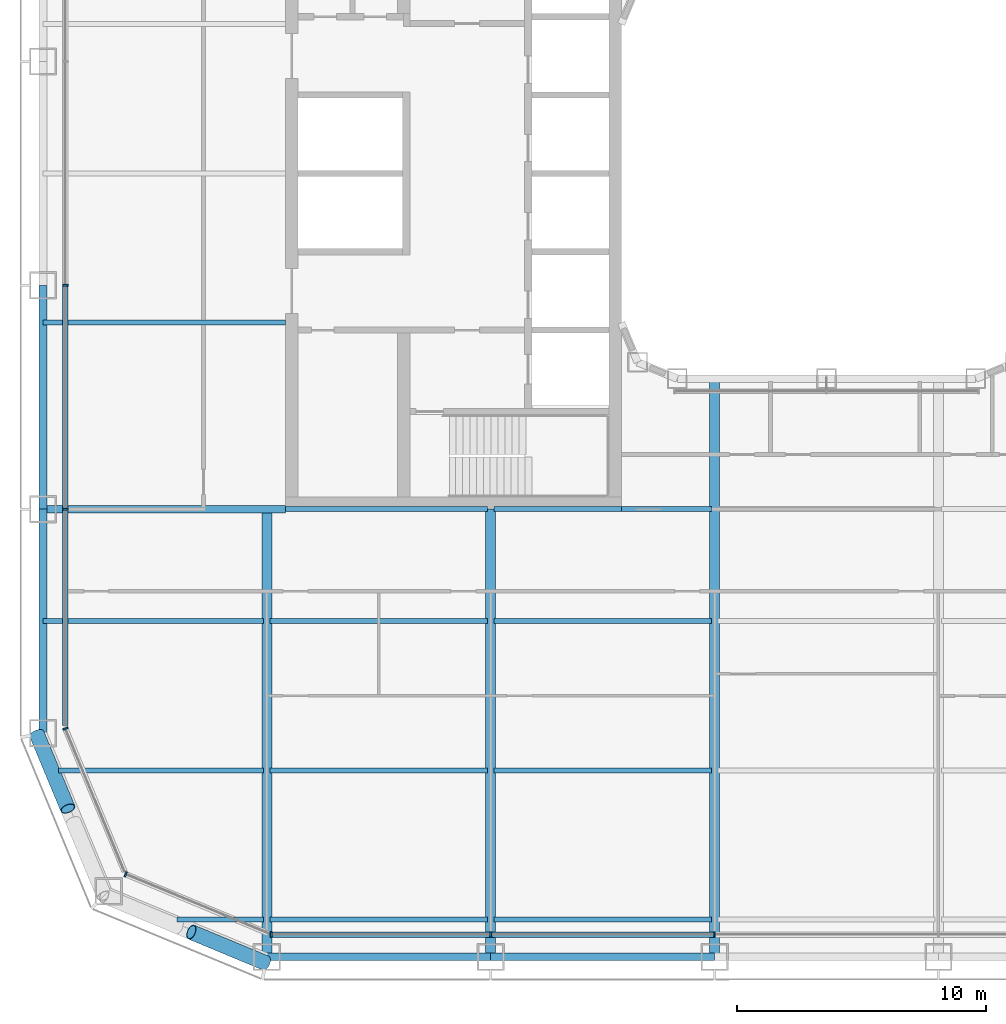
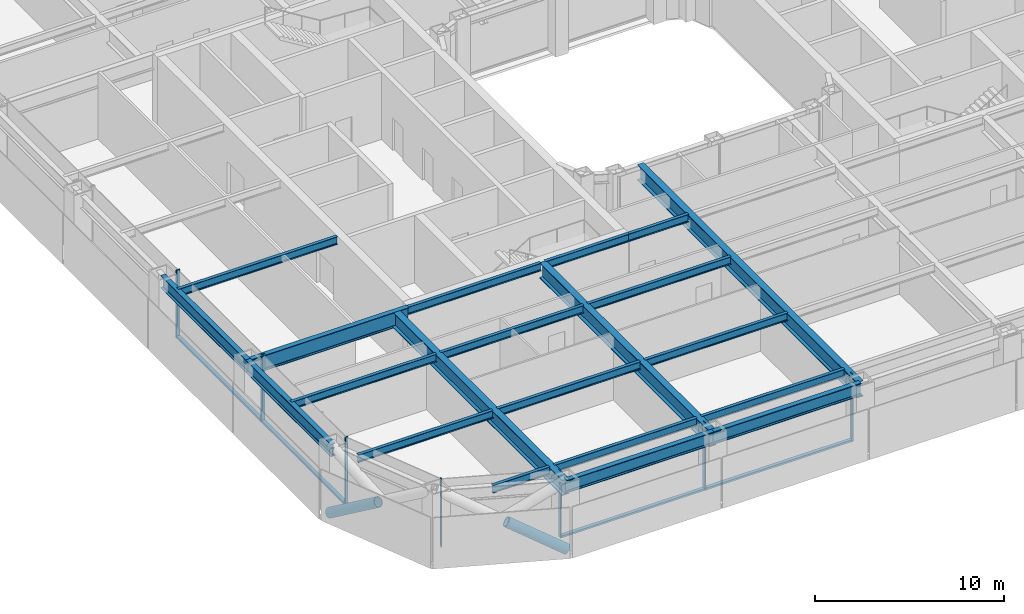
# One storey, part 2 of 24: 21 beams, 13 members, 4 elements without a shape of their own.
"""IFC4 building model written with IfcOpenShell, lengths in metres."""

from ifc_helpers import new_model, si_unit, direction, frame, origin, origin_2d, place, context, subcontext, project, spatial, rectangle, hollow_circle, i_section, extrude, material, layer, layer_set, material_profile, profile_set, type_object, element, aggregate, save


model = new_model("IFC4")

# Units and contexts
model_context = context("Model", 3, precision=1e-05, world=origin(), true_north=direction((0.0, 1.0)))
body_context = subcontext(model_context, "Body", "Model", "MODEL_VIEW")
ifc_project = project(units=[si_unit("LENGTHUNIT", "METRE"), si_unit("AREAUNIT", "SQUARE_METRE"), si_unit("VOLUMEUNIT", "CUBIC_METRE"), si_unit("PLANEANGLEUNIT", "RADIAN"), si_unit("MASSUNIT", "GRAM", prefix="KILO")], contexts=[model_context])

# Site, building, storey
site_placement = place(None, origin())
site = spatial("IfcSite", under=ifc_project, at=site_placement, CompositionType="ELEMENT")
building_placement = place(site_placement, origin())
building = spatial("IfcBuilding", under=site, at=building_placement, Name="Siwar Civic Tower", CompositionType="ELEMENT")
storey_placement = place(building_placement, frame((0.0, 0.0, 40.199951171875)))
storey = spatial("IfcBuildingStorey", under=building, at=storey_placement, Name="L08", CompositionType="ELEMENT", Elevation=40.199951171875)

# Curtain wall, members
ifc_material_1 = material(Name="Aluminium and glass", Category="aluminium")
ifc_layer_1 = layer(ifc_material_1, 0.219970703125)
ifc_layer_set_1 = layer_set([ifc_layer_1], Name="Aluminium and glass")
curtain_wall_type_1 = type_object("IfcCurtainWallType", Name="ENV-CW-A", PredefinedType="NOTDEFINED", material=ifc_layer_set_1)
curtain_wall_1_placement = place(storey_placement, origin())
curtain_wall_1 = element("IfcCurtainWall", 1, at=curtain_wall_1_placement, inside=storey, type_object=curtain_wall_type_1, Name="Curtain wall A S", PredefinedType="NOTDEFINED")
ifc_material_2 = material(Name="Aluminium 6063-T6", Category="aluminium")
ifc_material_profile_1 = material_profile(ifc_material_2, rectangle(XDim=0.219970703125, YDim=0.070068359375, at=origin_2d()), Name="AL 220x70")
ifc_profile_set_1 = profile_set([ifc_material_profile_1], Name="Aluminium 6063-T6")
member_type_1 = type_object("IfcMemberType", Name="ENV-MULLION-A", PredefinedType="MULLION", material=ifc_profile_set_1)
member_1_placement = place(storey_placement, frame((-22.321044921875, -30.60009765625, 0.0), z_axis=(0.0, 0.0, 1.0), x_axis=(0.0, 1.0, 0.0)))
member_1 = element("IfcMember", 2, at=member_1_placement, type_object=member_type_1, Name="Mullion A S 1", PredefinedType="MULLION", context=body_context, shape_type="SweptSolid", body=[
    extrude(rectangle(XDim=0.219970703125, YDim=0.070068359375, at=origin_2d()), origin(), (0.0, 0.0, 1.0), 4.35009765625),
])
member_2_placement = place(storey_placement, frame((-13.5, -30.60009765625, 0.0), z_axis=(0.0, 0.0, 1.0), x_axis=(0.0, 1.0, 0.0)))
member_2 = element("IfcMember", 3, at=member_2_placement, type_object=member_type_1, Name="Mullion A S 2", PredefinedType="MULLION", context=body_context, shape_type="SweptSolid", body=[
    extrude(rectangle(XDim=0.219970703125, YDim=0.070068359375, at=origin_2d()), origin(), (0.0, 0.0, 1.0), 4.35009765625),
])
member_3_placement = place(storey_placement, frame((-4.5, -30.60009765625, 0.0), z_axis=(0.0, 0.0, 1.0), x_axis=(0.0, 1.0, 0.0)))
member_3 = element("IfcMember", 4, at=member_3_placement, type_object=member_type_1, Name="Mullion A S 3", PredefinedType="MULLION", context=body_context, shape_type="SweptSolid", body=[
    extrude(rectangle(XDim=0.219970703125, YDim=0.070068359375, at=origin_2d()), origin(), (0.0, 0.0, 1.0), 4.35009765625),
])

curtain_wall_2_placement = place(storey_placement, origin())
curtain_wall_2 = element("IfcCurtainWall", 5, at=curtain_wall_2_placement, inside=storey, type_object=curtain_wall_type_1, Name="Curtain wall A W", PredefinedType="NOTDEFINED")
member_4_placement = place(storey_placement, frame((-30.60009765625, -4.5, 0.0), z_axis=(0.0, 0.0, 1.0), x_axis=(1.0, 0.0, 0.0)))
member_4 = element("IfcMember", 6, at=member_4_placement, type_object=member_type_1, Name="Mullion A W 4", PredefinedType="MULLION", context=body_context, shape_type="SweptSolid", body=[
    extrude(rectangle(XDim=0.219970703125, YDim=0.070068359375, at=origin_2d()), origin(), (0.0, 0.0, 1.0), 4.35009765625),
])
member_5_placement = place(storey_placement, frame((-30.60009765625, -13.5, 0.0), z_axis=(0.0, 0.0, 1.0), x_axis=(1.0, 0.0, 0.0)))
member_5 = element("IfcMember", 7, at=member_5_placement, type_object=member_type_1, Name="Mullion A W 5", PredefinedType="MULLION", context=body_context, shape_type="SweptSolid", body=[
    extrude(rectangle(XDim=0.219970703125, YDim=0.070068359375, at=origin_2d()), origin(), (0.0, 0.0, 1.0), 4.35009765625),
])

# Curtain wall, member
ifc_material_3 = material(Name="Aluminium clad insulated panel", Category="aluminium")
ifc_layer_2 = layer(ifc_material_3, 0.219970703125)
ifc_layer_set_2 = layer_set([ifc_layer_2], Name="Aluminium clad insulated panel")
curtain_wall_type_2 = type_object("IfcCurtainWallType", Name="ENV-CW-AX", PredefinedType="NOTDEFINED", material=ifc_layer_set_2)
curtain_wall_3_placement = place(storey_placement, origin())
curtain_wall_3 = element("IfcCurtainWall", 8, at=curtain_wall_3_placement, inside=storey, type_object=curtain_wall_type_2, Name="Curtain wall A SW1", PredefinedType="NOTDEFINED")
member_6_placement = place(storey_placement, frame((-30.60009765625, -22.321044921875, 0.0), z_axis=(0.0, 0.0, 1.0), x_axis=(0.923879532511, 0.382683432365, 0.0)))
member_6 = element("IfcMember", 9, at=member_6_placement, type_object=member_type_1, Name="Mullion A SW1 1", PredefinedType="MULLION", context=body_context, shape_type="SweptSolid", body=[
    extrude(rectangle(XDim=0.219970703125, YDim=0.070068359375, at=origin_2d()), origin(), (0.0, 0.0, 1.0), 4.35009765625),
])
aggregate(curtain_wall_3, [member_6])

curtain_wall_4_placement = place(storey_placement, origin())
curtain_wall_4 = element("IfcCurtainWall", 10, at=curtain_wall_4_placement, inside=storey, type_object=curtain_wall_type_2, Name="Curtain wall A SW2", PredefinedType="NOTDEFINED")
member_7_placement = place(storey_placement, frame((-28.175048828125, -28.175048828125, 0.0), z_axis=(0.0, 0.0, 1.0), x_axis=(0.382683432365, 0.923879532511, 0.0)))
member_7 = element("IfcMember", 11, at=member_7_placement, type_object=member_type_1, Name="Mullion A SW2 1", PredefinedType="MULLION", context=body_context, shape_type="SweptSolid", body=[
    extrude(rectangle(XDim=0.219970703125, YDim=0.070068359375, at=origin_2d()), origin(), (0.0, 0.0, 1.0), 4.35009765625),
])
aggregate(curtain_wall_4, [member_7])

# Member
ifc_material_4 = material(Name="Aluminium 6063-T6", Category="aluminium")
ifc_material_profile_2 = material_profile(ifc_material_4, rectangle(XDim=0.219970703125, YDim=0.1201171875, at=origin_2d()), Name="AL 220x120")
ifc_profile_set_2 = profile_set([ifc_material_profile_2], Name="Aluminium 6063-T6")
member_type_2 = type_object("IfcMemberType", Name="ENV-TRANSOM-A", PredefinedType="USERDEFINED", material=ifc_profile_set_2)
member_8_placement = place(storey_placement, frame((-22.285888671875, -30.60009765625, 0.06005859375), z_axis=(1.0, 0.0, 0.0), x_axis=(0.0, 1.0, 0.0)))
member_8 = element("IfcMember", 12, at=member_8_placement, type_object=member_type_2, Name="Transom A S 1", ObjectType="TRANSOM", PredefinedType="USERDEFINED", context=body_context, shape_type="SweptSolid", body=[
    extrude(rectangle(XDim=0.219970703125, YDim=0.1201171875, at=origin_2d()), origin(), (0.0, 0.0, 1.0), 8.7509765625),
])

member_9_placement = place(storey_placement, frame((-13.465087890625, -30.60009765625, 0.06005859375), z_axis=(1.0, 0.0, 0.0), x_axis=(0.0, 1.0, 0.0)))
member_9 = element("IfcMember", 13, at=member_9_placement, type_object=member_type_2, Name="Transom A S 2", ObjectType="TRANSOM", PredefinedType="USERDEFINED", context=body_context, shape_type="SweptSolid", body=[
    extrude(rectangle(XDim=0.219970703125, YDim=0.1201171875, at=origin_2d()), origin(), (0.0, 0.0, 1.0), 8.93017578125),
])

aggregate(curtain_wall_1, [member_1, member_2, member_3, member_8, member_9])

member_10_placement = place(storey_placement, frame((-30.60009765625, -4.534912109375, 0.06005859375), z_axis=(0.0, -1.0, 0.0), x_axis=(1.0, 0.0, 0.0)))
member_10 = element("IfcMember", 14, at=member_10_placement, type_object=member_type_2, Name="Transom A W 4", ObjectType="TRANSOM", PredefinedType="USERDEFINED", context=body_context, shape_type="SweptSolid", body=[
    extrude(rectangle(XDim=0.219970703125, YDim=0.1201171875, at=origin_2d()), origin(), (0.0, 0.0, 1.0), 8.93017578125),
])

member_11_placement = place(storey_placement, frame((-30.60009765625, -13.534912109375, 0.06005859375), z_axis=(0.0, -1.0, 0.0), x_axis=(1.0, 0.0, 0.0)))
member_11 = element("IfcMember", 15, at=member_11_placement, type_object=member_type_2, Name="Transom A W 5", ObjectType="TRANSOM", PredefinedType="USERDEFINED", context=body_context, shape_type="SweptSolid", body=[
    extrude(rectangle(XDim=0.219970703125, YDim=0.1201171875, at=origin_2d()), origin(), (0.0, 0.0, 1.0), 8.66357421875),
])

aggregate(curtain_wall_2, [member_4, member_5, member_10, member_11])

# Members
ifc_material_5 = material(Name="Steel S355", Category="steel")
ifc_material_profile_3 = material_profile(ifc_material_5, hollow_circle(Radius=0.304931640625, WallThickness=0.030029296875, at=origin_2d()), Name="CHS610x30")
ifc_profile_set_3 = profile_set([ifc_material_profile_3], Name="Steel S355")
member_type_3 = type_object("IfcMemberType", Name="STR-BR-CHS610x30", PredefinedType="BRACE", material=ifc_profile_set_3)
for number, where, z_axis, x_axis, name in (
    (16, (-22.548828125, -31.7451171875, 0.0), (-0.777533059308, 0.323882123145, 0.539020140617), (-0.384524353215, -0.923114847559, 0.0), "L08/brc/ASW1-7-0-2"),
    (17, (-31.7451171875, -22.548828125, 0.0), (0.323882123145, -0.777533059308, 0.539020140617), (0.923114847559, 0.384524353215, 0.0), "L08/brc/ASW1-7-0-4"),
):
    element("IfcMember", number, at=place(storey_placement, frame(where, z_axis=z_axis, x_axis=x_axis)), inside=storey, type_object=member_type_3, Name=name, PredefinedType="BRACE", context=body_context, shape_type="SweptSolid", body=[
        extrude(hollow_circle(Radius=0.304931640625, WallThickness=0.030029296875, at=origin_2d()), origin(), (0.0, 0.0, 1.0), 3.843505859375),
    ])

# Beams
ifc_material_6 = material(Name="Steel S355", Category="steel")
ifc_material_profile_4 = material_profile(ifc_material_6, i_section(OverallWidth=0.199951171875, OverallDepth=0.5, WebThickness=0.01025390625, FlangeThickness=0.01611328125, FilletRadius=0.02099609375, at=origin_2d()), Name="IPE500")
ifc_profile_set_4 = profile_set([ifc_material_profile_4], Name="Steel S355")
beam_type_1 = type_object("IfcBeamType", Name="STR-FB-IPE500", PredefinedType="JOIST", material=ifc_profile_set_4)
beam_1_placement = place(storey_placement, frame((-26.121337890625, -30.0, 4.10009765625), z_axis=(1.0, 0.0, 0.0), x_axis=(0.0, 1.0, 0.0)))
element("IfcBeam", 18, at=beam_1_placement, inside=storey, type_object=beam_type_1, Name="L08/bm/F001", PredefinedType="JOIST", context=body_context, shape_type="SweptSolid", body=[
    extrude(i_section(OverallWidth=0.199951171875, OverallDepth=0.5, WebThickness=0.01025390625, FlangeThickness=0.01611328125, FilletRadius=0.02099609375, at=origin_2d()), origin(), (0.0, 0.0, 1.0), 3.491455078125),
])
for number, where, z_axis, x_axis, name in (
    (19, (-22.3701171875, -30.0, 4.10009765625), (1.0, 0.0, 0.0), (0.0, 1.0, 0.0), "L08/bm/F002"),
    (20, (-13.3701171875, -30.0, 4.10009765625), (1.0, 0.0, 0.0), (0.0, 1.0, 0.0), "L08/bm/F003"),
):
    element("IfcBeam", number, at=place(storey_placement, frame(where, z_axis=z_axis, x_axis=x_axis)), inside=storey, type_object=beam_type_1, Name=name, PredefinedType="JOIST", context=body_context, shape_type="SweptSolid", body=[
        extrude(i_section(OverallWidth=0.199951171875, OverallDepth=0.5, WebThickness=0.01025390625, FlangeThickness=0.01611328125, FilletRadius=0.02099609375, at=origin_2d()), origin(), (0.0, 0.0, 1.0), 8.740234375),
    ])
beam_2_placement = place(storey_placement, frame((-30.878662109375, -24.0, 4.10009765625), z_axis=(1.0, 0.0, 0.0), x_axis=(0.0, 1.0, 0.0)))
element("IfcBeam", 21, at=beam_2_placement, inside=storey, type_object=beam_type_1, Name="L08/bm/F008", PredefinedType="JOIST", context=body_context, shape_type="SweptSolid", body=[
    extrude(i_section(OverallWidth=0.199951171875, OverallDepth=0.5, WebThickness=0.01025390625, FlangeThickness=0.01611328125, FilletRadius=0.02099609375, at=origin_2d()), origin(), (0.0, 0.0, 1.0), 8.248779296875),
])
for number, where, z_axis, x_axis, name in (
    (22, (-22.3701171875, -24.0, 4.10009765625), (1.0, 0.0, 0.0), (0.0, 1.0, 0.0), "L08/bm/F009"),
    (23, (-13.3701171875, -24.0, 4.10009765625), (1.0, 0.0, 0.0), (0.0, 1.0, 0.0), "L08/bm/F010"),
):
    element("IfcBeam", number, at=place(storey_placement, frame(where, z_axis=z_axis, x_axis=x_axis)), inside=storey, type_object=beam_type_1, Name=name, PredefinedType="JOIST", context=body_context, shape_type="SweptSolid", body=[
        extrude(i_section(OverallWidth=0.199951171875, OverallDepth=0.5, WebThickness=0.01025390625, FlangeThickness=0.01611328125, FilletRadius=0.02099609375, at=origin_2d()), origin(), (0.0, 0.0, 1.0), 8.740234375),
    ])
beam_3_placement = place(storey_placement, frame((-31.5, -18.0, 4.10009765625), z_axis=(1.0, 0.0, 0.0), x_axis=(0.0, 1.0, 0.0)))
element("IfcBeam", 24, at=beam_3_placement, inside=storey, type_object=beam_type_1, Name="L08/bm/F015", PredefinedType="JOIST", context=body_context, shape_type="SweptSolid", body=[
    extrude(i_section(OverallWidth=0.199951171875, OverallDepth=0.5, WebThickness=0.01025390625, FlangeThickness=0.01611328125, FilletRadius=0.02099609375, at=origin_2d()), origin(), (0.0, 0.0, 1.0), 8.8701171875),
])
for number, where, z_axis, x_axis, name in (
    (25, (-22.3701171875, -18.0, 4.10009765625), (1.0, 0.0, 0.0), (0.0, 1.0, 0.0), "L08/bm/F016"),
    (26, (-13.3701171875, -18.0, 4.10009765625), (1.0, 0.0, 0.0), (0.0, 1.0, 0.0), "L08/bm/F017"),
):
    element("IfcBeam", number, at=place(storey_placement, frame(where, z_axis=z_axis, x_axis=x_axis)), inside=storey, type_object=beam_type_1, Name=name, PredefinedType="JOIST", context=body_context, shape_type="SweptSolid", body=[
        extrude(i_section(OverallWidth=0.199951171875, OverallDepth=0.5, WebThickness=0.01025390625, FlangeThickness=0.01611328125, FilletRadius=0.02099609375, at=origin_2d()), origin(), (0.0, 0.0, 1.0), 8.740234375),
    ])
beam_4_placement = place(storey_placement, frame((-21.75, -13.5, 4.10009765625), z_axis=(1.0, 0.0, 0.0), x_axis=(0.0, 1.0, 0.0)))
element("IfcBeam", 27, at=beam_4_placement, inside=storey, type_object=beam_type_1, Name="L08/bm/F023", PredefinedType="JOIST", context=body_context, shape_type="SweptSolid", body=[
    extrude(i_section(OverallWidth=0.199951171875, OverallDepth=0.5, WebThickness=0.01025390625, FlangeThickness=0.01611328125, FilletRadius=0.02099609375, at=origin_2d()), origin(), (0.0, 0.0, 1.0), 8.1201171875),
])
beam_5_placement = place(storey_placement, frame((-13.3701171875, -13.5, 4.10009765625), z_axis=(1.0, 0.0, 0.0), x_axis=(0.0, 1.0, 0.0)))
element("IfcBeam", 28, at=beam_5_placement, inside=storey, type_object=beam_type_1, Name="L08/bm/F024", PredefinedType="JOIST", context=body_context, shape_type="SweptSolid", body=[
    extrude(i_section(OverallWidth=0.199951171875, OverallDepth=0.5, WebThickness=0.01025390625, FlangeThickness=0.01611328125, FilletRadius=0.02099609375, at=origin_2d()), origin(), (0.0, 0.0, 1.0), 5.1201171875),
])
beam_6_placement = place(storey_placement, frame((-8.25, -13.5, 4.10009765625), z_axis=(1.0, 0.0, 0.0), x_axis=(0.0, 1.0, 0.0)))
element("IfcBeam", 29, at=beam_6_placement, inside=storey, type_object=beam_type_1, Name="L08/bm/F025", PredefinedType="JOIST", context=body_context, shape_type="SweptSolid", body=[
    extrude(i_section(OverallWidth=0.199951171875, OverallDepth=0.5, WebThickness=0.01025390625, FlangeThickness=0.01611328125, FilletRadius=0.02099609375, at=origin_2d()), origin(), (0.0, 0.0, 1.0), 3.6201171875),
])
beam_7_placement = place(storey_placement, frame((-31.5, -6.0, 4.10009765625), z_axis=(1.0, 0.0, 0.0), x_axis=(0.0, 1.0, 0.0)))
element("IfcBeam", 30, at=beam_7_placement, inside=storey, type_object=beam_type_1, Name="L08/bm/F031", PredefinedType="JOIST", context=body_context, shape_type="SweptSolid", body=[
    extrude(i_section(OverallWidth=0.199951171875, OverallDepth=0.5, WebThickness=0.01025390625, FlangeThickness=0.01611328125, FilletRadius=0.02099609375, at=origin_2d()), origin(), (0.0, 0.0, 1.0), 9.75),
])
ifc_material_7 = material(Name="Steel S355", Category="steel")
ifc_material_profile_5 = material_profile(ifc_material_7, i_section(OverallWidth=0.300048828125, OverallDepth=1.0, WebThickness=0.01904296875, FlangeThickness=0.035888671875, FilletRadius=0.030029296875, at=origin_2d()), Name="HEB1000")
ifc_profile_set_5 = profile_set([ifc_material_profile_5], Name="Steel S355")
beam_type_2 = type_object("IfcBeamType", Name="STR-PG-HEB1000", PredefinedType="BEAM", material=ifc_profile_set_5)
beam_8_placement = place(storey_placement, frame((-31.5, -13.5, 3.85009765625), z_axis=(1.0, 0.0, 0.0), x_axis=(0.0, 1.0, 0.0)))
element("IfcBeam", 31, at=beam_8_placement, inside=storey, type_object=beam_type_2, Name="L08/bm/F022", PredefinedType="BEAM", context=body_context, shape_type="SweptSolid", body=[
    extrude(i_section(OverallWidth=0.300048828125, OverallDepth=1.0, WebThickness=0.01904296875, FlangeThickness=0.035888671875, FilletRadius=0.030029296875, at=origin_2d()), origin(), (0.0, 0.0, 1.0), 9.75),
])
ifc_material_8 = material(Name="Steel S355", Category="steel")
ifc_material_profile_6 = material_profile(ifc_material_8, i_section(OverallWidth=0.39990234375, OverallDepth=1.0, WebThickness=0.01611328125, FlangeThickness=0.0400390625, at=origin_2d()), Name="PG1000x400x16x40")
ifc_profile_set_6 = profile_set([ifc_material_profile_6], Name="Steel S355")
beam_type_3 = type_object("IfcBeamType", Name="STR-PG-PG1000x400x16x40", PredefinedType="BEAM", material=ifc_profile_set_6)
for number, where, z_axis, x_axis, name in (
    (32, (-22.5, -31.5, 3.85009765625), (0.0, 1.0, 0.0), (-1.0, 0.0, 0.0), "L08/bm/G01"),
    (33, (-13.5, -31.5, 3.85009765625), (0.0, 1.0, 0.0), (-1.0, 0.0, 0.0), "L08/bm/G03"),
):
    element("IfcBeam", number, at=place(storey_placement, frame(where, z_axis=z_axis, x_axis=x_axis)), inside=storey, type_object=beam_type_3, Name=name, PredefinedType="BEAM", context=body_context, shape_type="SweptSolid", body=[
        extrude(i_section(OverallWidth=0.39990234375, OverallDepth=1.0, WebThickness=0.01611328125, FlangeThickness=0.0400390625, at=origin_2d()), origin(), (0.0, 0.0, 1.0), 18.0),
    ])
beam_9_placement = place(storey_placement, frame((-4.5, -31.5, 3.85009765625), z_axis=(0.0, 1.0, 0.0), x_axis=(-1.0, 0.0, 0.0)))
element("IfcBeam", 34, at=beam_9_placement, inside=storey, type_object=beam_type_3, Name="L08/bm/G05", PredefinedType="BEAM", context=body_context, shape_type="SweptSolid", body=[
    extrude(i_section(OverallWidth=0.39990234375, OverallDepth=1.0, WebThickness=0.01611328125, FlangeThickness=0.0400390625, at=origin_2d()), origin(), (0.0, 0.0, 1.0), 23.25),
])
ifc_material_9 = material(Name="Steel S355", Category="steel")
ifc_material_profile_7 = material_profile(ifc_material_9, i_section(OverallWidth=0.302978515625, OverallDepth=0.81396484375, WebThickness=0.02099609375, FlangeThickness=0.0400390625, FilletRadius=0.030029296875, at=origin_2d()), Name="HEM800")
ifc_profile_set_7 = profile_set([ifc_material_profile_7], Name="Steel S355")
beam_type_4 = type_object("IfcBeamType", Name="STR-SB-HEM800", PredefinedType="BEAM", material=ifc_profile_set_7)
for number, where, z_axis, x_axis, name in (
    (35, (-22.5, -31.5, 3.943115234375), (1.0, 0.0, 0.0), (0.0, 1.0, 0.0), "L08/bm/SS-0"),
    (36, (-13.5, -31.5, 3.943115234375), (1.0, 0.0, 0.0), (0.0, 1.0, 0.0), "L08/bm/SS-1"),
    (37, (-31.5, -4.5, 3.943115234375), (0.0, -1.0, 0.0), (1.0, 0.0, 0.0), "L08/bm/SW-3"),
    (38, (-31.5, -13.5, 3.943115234375), (0.0, -1.0, 0.0), (1.0, 0.0, 0.0), "L08/bm/SW-4"),
):
    element("IfcBeam", number, at=place(storey_placement, frame(where, z_axis=z_axis, x_axis=x_axis)), inside=storey, type_object=beam_type_4, Name=name, PredefinedType="BEAM", context=body_context, shape_type="SweptSolid", body=[
        extrude(i_section(OverallWidth=0.302978515625, OverallDepth=0.81396484375, WebThickness=0.02099609375, FlangeThickness=0.0400390625, FilletRadius=0.030029296875, at=origin_2d()), origin(), (0.0, 0.0, 1.0), 9.0),
    ])

save(model, "model.ifc")
